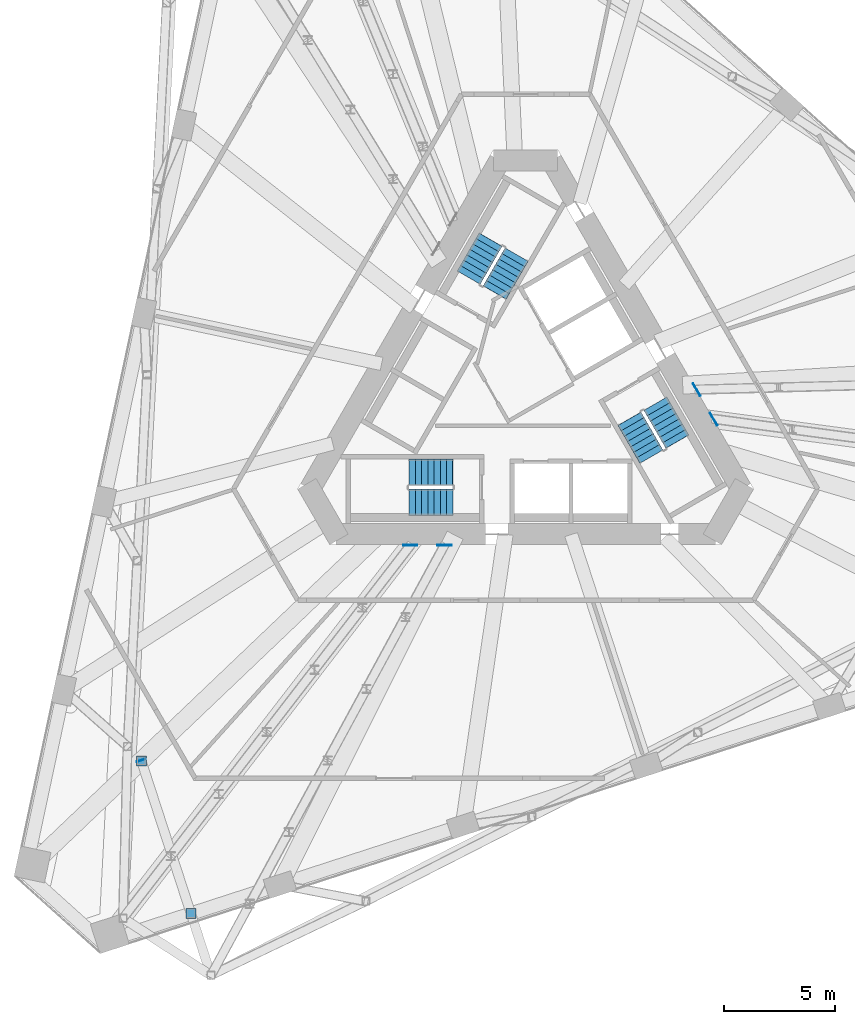
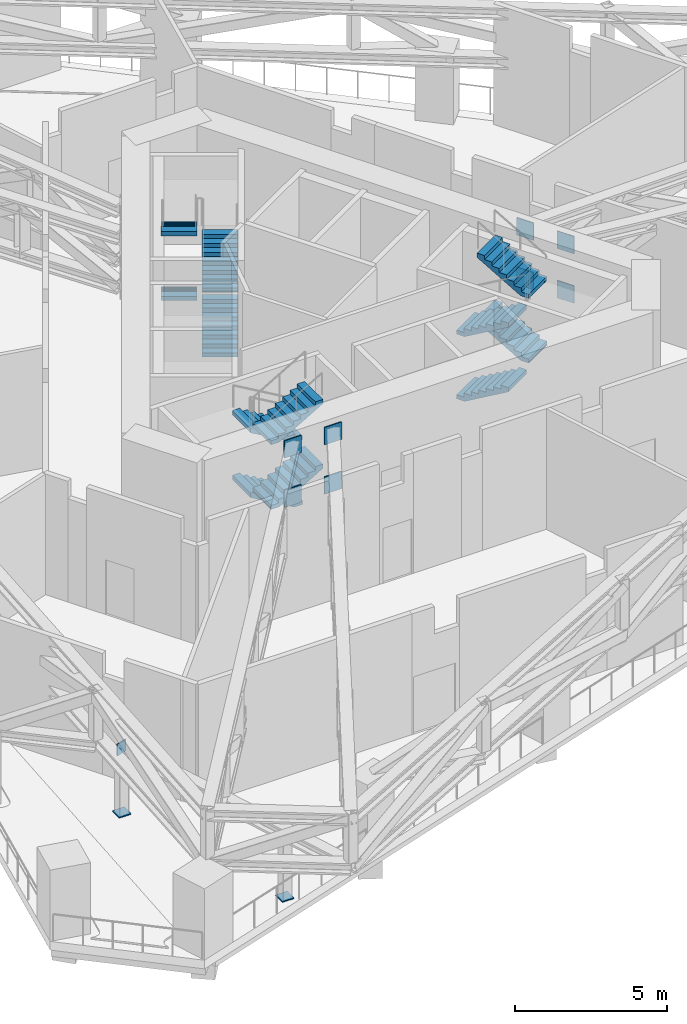
# One storey, part 17 of 24: 12 stair flights, 11 discrete accessories, 3 elements without a shape of their own.
"""IFC4 building model written with IfcOpenShell, lengths in metres."""

from ifc_helpers import new_model, si_unit, direction, frame, origin, origin_2d, place, context, subcontext, project, spatial, polyline, rectangle, outline, extrude, material, layer, layer_set, type_object, element, aggregate, save


model = new_model("IFC4")

# Units and contexts
model_context = context("Model", 3, precision=1e-05, world=origin(), true_north=direction((0.0, 1.0)))
body_context = subcontext(model_context, "Body", "Model", "MODEL_VIEW")
ifc_project = project(units=[si_unit("LENGTHUNIT", "METRE"), si_unit("AREAUNIT", "SQUARE_METRE"), si_unit("VOLUMEUNIT", "CUBIC_METRE"), si_unit("PLANEANGLEUNIT", "RADIAN"), si_unit("MASSUNIT", "GRAM", prefix="KILO")], contexts=[model_context])

# Site, building, storey
site_placement = place(None, origin())
site = spatial("IfcSite", under=ifc_project, at=site_placement, CompositionType="ELEMENT")
building_placement = place(site_placement, origin())
building = spatial("IfcBuilding", under=site, at=building_placement, Name="Tramontana Tower", CompositionType="ELEMENT")
storey_placement = place(building_placement, frame((0.0, 0.0, 120.39990234375)))
storey = spatial("IfcBuildingStorey", under=building, at=storey_placement, Name="L27", CompositionType="ELEMENT", Elevation=120.39990234375)

# Stair, stair flights
ifc_material_1 = material(Name="Concrete 40 MPa", Category="concrete")
stair_type = type_object("IfcStairType", Name="EXIT STAIR 32 RISERS", PredefinedType="HALF_TURN_STAIR", material=ifc_material_1)
stair_1_placement = place(storey_placement, origin())
stair_1 = element("IfcStair", 1, at=stair_1_placement, inside=storey, type_object=stair_type, Name="L27 Exit stair ST1", PredefinedType="HALF_TURN_STAIR")
ifc_material_2 = material(Name="Concrete 40 MPa", Category="concrete")
ifc_layer_1 = layer(ifc_material_2, 0.14990234375)
ifc_layer_set_1 = layer_set([ifc_layer_1], Name="EXIT STAIR FLIGHT")
stair_flight_type = type_object("IfcStairFlightType", Name="EXIT STAIR FLIGHT", PredefinedType="STRAIGHT", material=ifc_layer_set_1)
stair_flight_1_placement = place(storey_placement, frame((-1.39111328125, 4.590576171875, 0.0), z_axis=(0.0, 0.0, 1.0), x_axis=(0.5, 0.866025403784, 0.0)))
stair_flight_1 = element("IfcStairFlight", 2, at=stair_flight_1_placement, type_object=stair_flight_type, Name="ST1 flight 1", NumberOfRisers=8, NumberOfTreads=7, PredefinedType="STRAIGHT", RiserHeight=0.1625, TreadLength=0.28, context=body_context, shape_type="SweptSolid", body=[
    extrude(outline(polyline([(-0.006103515625, 0.0), (-0.006103515625, 0.0400390625), (0.0, 0.0400390625), (0.0, 0.16259765625), (0.280029296875, 0.16259765625), (0.280029296875, 0.324951171875), (0.56005859375, 0.324951171875), (0.56005859375, 0.487548828125), (0.840087890625, 0.487548828125), (0.840087890625, 0.64990234375), (1.1201171875, 0.64990234375), (1.1201171875, 0.8125), (1.39990234375, 0.8125), (1.39990234375, 0.97509765625), (1.679931640625, 0.97509765625), (1.679931640625, 1.137451171875), (1.9599609375, 1.137451171875), (1.966064453125, 1.137451171875), (1.966064453125, 0.964111328125), (0.3046875, 0.0), (-0.006103515625, 0.0)])), frame((0.0, 0.60009765625, 0.0), z_axis=(0.0, -1.0, 0.0), x_axis=(1.0, 0.0, 0.0)), (0.0, 0.0, 1.0), 1.199951171875),
])
stair_flight_2_placement = place(storey_placement, frame((-1.580322265625, 6.962890625, 1.300048828125), z_axis=(0.0, 0.0, 1.0), x_axis=(-0.5, -0.866025403784, 0.0)))
stair_flight_2 = element("IfcStairFlight", 3, at=stair_flight_2_placement, type_object=stair_flight_type, Name="ST1 flight 2", NumberOfRisers=8, NumberOfTreads=7, PredefinedType="STRAIGHT", RiserHeight=0.1625, TreadLength=0.28, context=body_context, shape_type="SweptSolid", body=[
    extrude(outline(polyline([(-0.006103515625, 0.0), (-0.006103515625, 0.0400390625), (0.0, 0.0400390625), (0.0, 0.16259765625), (0.280029296875, 0.16259765625), (0.280029296875, 0.324951171875), (0.56005859375, 0.324951171875), (0.56005859375, 0.487548828125), (0.840087890625, 0.487548828125), (0.840087890625, 0.64990234375), (1.1201171875, 0.64990234375), (1.1201171875, 0.8125), (1.39990234375, 0.8125), (1.39990234375, 0.97509765625), (1.679931640625, 0.97509765625), (1.679931640625, 1.137451171875), (1.9599609375, 1.137451171875), (1.966064453125, 1.137451171875), (1.966064453125, 0.964111328125), (0.3046875, 0.0), (-0.006103515625, 0.0)])), frame((0.0, 0.60009765625, 0.0), z_axis=(0.0, -1.0, 0.0), x_axis=(1.0, 0.0, 0.0)), (0.0, 0.0, 1.0), 1.199951171875),
])
stair_flight_3_placement = place(storey_placement, frame((-1.39111328125, 4.590576171875, 2.60009765625), z_axis=(0.0, 0.0, 1.0), x_axis=(0.5, 0.866025403784, 0.0)))
stair_flight_3 = element("IfcStairFlight", 4, at=stair_flight_3_placement, type_object=stair_flight_type, Name="ST1 flight 3", NumberOfRisers=8, NumberOfTreads=7, PredefinedType="STRAIGHT", RiserHeight=0.1625, TreadLength=0.28, context=body_context, shape_type="SweptSolid", body=[
    extrude(outline(polyline([(-0.006103515625, 0.0), (-0.006103515625, 0.0400390625), (0.0, 0.0400390625), (0.0, 0.16259765625), (0.280029296875, 0.16259765625), (0.280029296875, 0.324951171875), (0.56005859375, 0.324951171875), (0.56005859375, 0.487548828125), (0.840087890625, 0.487548828125), (0.840087890625, 0.64990234375), (1.1201171875, 0.64990234375), (1.1201171875, 0.8125), (1.39990234375, 0.8125), (1.39990234375, 0.97509765625), (1.679931640625, 0.97509765625), (1.679931640625, 1.137451171875), (1.9599609375, 1.137451171875), (1.966064453125, 1.137451171875), (1.966064453125, 0.964111328125), (0.3046875, 0.0), (-0.006103515625, 0.0)])), frame((0.0, 0.60009765625, 0.0), z_axis=(0.0, -1.0, 0.0), x_axis=(1.0, 0.0, 0.0)), (0.0, 0.0, 1.0), 1.199951171875),
])
stair_flight_4_placement = place(storey_placement, frame((-1.580322265625, 6.962890625, 3.900146484375), z_axis=(0.0, 0.0, 1.0), x_axis=(-0.5, -0.866025403784, 0.0)))
stair_flight_4 = element("IfcStairFlight", 5, at=stair_flight_4_placement, type_object=stair_flight_type, Name="ST1 flight 4", NumberOfRisers=8, NumberOfTreads=7, PredefinedType="STRAIGHT", RiserHeight=0.1625, TreadLength=0.28, context=body_context, shape_type="SweptSolid", body=[
    extrude(outline(polyline([(-0.006103515625, 0.0), (-0.006103515625, 0.0400390625), (0.0, 0.0400390625), (0.0, 0.16259765625), (0.280029296875, 0.16259765625), (0.280029296875, 0.324951171875), (0.56005859375, 0.324951171875), (0.56005859375, 0.487548828125), (0.840087890625, 0.487548828125), (0.840087890625, 0.64990234375), (1.1201171875, 0.64990234375), (1.1201171875, 0.8125), (1.39990234375, 0.8125), (1.39990234375, 0.97509765625), (1.679931640625, 0.97509765625), (1.679931640625, 1.137451171875), (1.9599609375, 1.137451171875), (1.966064453125, 1.137451171875), (1.966064453125, 0.964111328125), (0.3046875, 0.0), (-0.006103515625, 0.0)])), frame((0.0, 0.60009765625, 0.0), z_axis=(0.0, -1.0, 0.0), x_axis=(1.0, 0.0, 0.0)), (0.0, 0.0, 1.0), 1.199951171875),
])
aggregate(stair_1, [stair_flight_1, stair_flight_2, stair_flight_3, stair_flight_4])

stair_2_placement = place(storey_placement, origin())
stair_2 = element("IfcStair", 6, at=stair_2_placement, inside=storey, type_object=stair_type, Name="L27 Exit stair ST2", PredefinedType="HALF_TURN_STAIR")
stair_flight_5_placement = place(storey_placement, frame((-3.280029296875, -3.5, 0.0), z_axis=(0.0, 0.0, 1.0), x_axis=(-1.0, 0.0, 0.0)))
stair_flight_5 = element("IfcStairFlight", 7, at=stair_flight_5_placement, type_object=stair_flight_type, Name="ST2 flight 1", NumberOfRisers=8, NumberOfTreads=7, PredefinedType="STRAIGHT", RiserHeight=0.1625, TreadLength=0.28, context=body_context, shape_type="SweptSolid", body=[
    extrude(outline(polyline([(-0.006103515625, 0.0), (-0.006103515625, 0.0400390625), (0.0, 0.0400390625), (0.0, 0.16259765625), (0.280029296875, 0.16259765625), (0.280029296875, 0.324951171875), (0.56005859375, 0.324951171875), (0.56005859375, 0.487548828125), (0.840087890625, 0.487548828125), (0.840087890625, 0.64990234375), (1.1201171875, 0.64990234375), (1.1201171875, 0.8125), (1.39990234375, 0.8125), (1.39990234375, 0.97509765625), (1.679931640625, 0.97509765625), (1.679931640625, 1.137451171875), (1.9599609375, 1.137451171875), (1.966064453125, 1.137451171875), (1.966064453125, 0.964111328125), (0.3046875, 0.0), (-0.006103515625, 0.0)])), frame((0.0, 0.60009765625, 0.0), z_axis=(0.0, -1.0, 0.0), x_axis=(1.0, 0.0, 0.0)), (0.0, 0.0, 1.0), 1.199951171875),
])
stair_flight_6_placement = place(storey_placement, frame((-5.239990234375, -4.85009765625, 1.300048828125), z_axis=(0.0, 0.0, 1.0), x_axis=(1.0, 0.0, 0.0)))
stair_flight_6 = element("IfcStairFlight", 8, at=stair_flight_6_placement, type_object=stair_flight_type, Name="ST2 flight 2", NumberOfRisers=8, NumberOfTreads=7, PredefinedType="STRAIGHT", RiserHeight=0.1625, TreadLength=0.28, context=body_context, shape_type="SweptSolid", body=[
    extrude(outline(polyline([(-0.006103515625, 0.0), (-0.006103515625, 0.0400390625), (0.0, 0.0400390625), (0.0, 0.16259765625), (0.280029296875, 0.16259765625), (0.280029296875, 0.324951171875), (0.56005859375, 0.324951171875), (0.56005859375, 0.487548828125), (0.840087890625, 0.487548828125), (0.840087890625, 0.64990234375), (1.1201171875, 0.64990234375), (1.1201171875, 0.8125), (1.39990234375, 0.8125), (1.39990234375, 0.97509765625), (1.679931640625, 0.97509765625), (1.679931640625, 1.137451171875), (1.9599609375, 1.137451171875), (1.966064453125, 1.137451171875), (1.966064453125, 0.964111328125), (0.3046875, 0.0), (-0.006103515625, 0.0)])), frame((0.0, 0.60009765625, 0.0), z_axis=(0.0, -1.0, 0.0), x_axis=(1.0, 0.0, 0.0)), (0.0, 0.0, 1.0), 1.199951171875),
])
stair_flight_7_placement = place(storey_placement, frame((-3.280029296875, -3.5, 2.60009765625), z_axis=(0.0, 0.0, 1.0), x_axis=(-1.0, 0.0, 0.0)))
stair_flight_7 = element("IfcStairFlight", 9, at=stair_flight_7_placement, type_object=stair_flight_type, Name="ST2 flight 3", NumberOfRisers=8, NumberOfTreads=7, PredefinedType="STRAIGHT", RiserHeight=0.1625, TreadLength=0.28, context=body_context, shape_type="SweptSolid", body=[
    extrude(outline(polyline([(-0.006103515625, 0.0), (-0.006103515625, 0.0400390625), (0.0, 0.0400390625), (0.0, 0.16259765625), (0.280029296875, 0.16259765625), (0.280029296875, 0.324951171875), (0.56005859375, 0.324951171875), (0.56005859375, 0.487548828125), (0.840087890625, 0.487548828125), (0.840087890625, 0.64990234375), (1.1201171875, 0.64990234375), (1.1201171875, 0.8125), (1.39990234375, 0.8125), (1.39990234375, 0.97509765625), (1.679931640625, 0.97509765625), (1.679931640625, 1.137451171875), (1.9599609375, 1.137451171875), (1.966064453125, 1.137451171875), (1.966064453125, 0.964111328125), (0.3046875, 0.0), (-0.006103515625, 0.0)])), frame((0.0, 0.60009765625, 0.0), z_axis=(0.0, -1.0, 0.0), x_axis=(1.0, 0.0, 0.0)), (0.0, 0.0, 1.0), 1.199951171875),
])
stair_flight_8_placement = place(storey_placement, frame((-5.239990234375, -4.85009765625, 3.900146484375), z_axis=(0.0, 0.0, 1.0), x_axis=(1.0, 0.0, 0.0)))
stair_flight_8 = element("IfcStairFlight", 10, at=stair_flight_8_placement, type_object=stair_flight_type, Name="ST2 flight 4", NumberOfRisers=8, NumberOfTreads=7, PredefinedType="STRAIGHT", RiserHeight=0.1625, TreadLength=0.28, context=body_context, shape_type="SweptSolid", body=[
    extrude(outline(polyline([(-0.006103515625, 0.0), (-0.006103515625, 0.0400390625), (0.0, 0.0400390625), (0.0, 0.16259765625), (0.280029296875, 0.16259765625), (0.280029296875, 0.324951171875), (0.56005859375, 0.324951171875), (0.56005859375, 0.487548828125), (0.840087890625, 0.487548828125), (0.840087890625, 0.64990234375), (1.1201171875, 0.64990234375), (1.1201171875, 0.8125), (1.39990234375, 0.8125), (1.39990234375, 0.97509765625), (1.679931640625, 0.97509765625), (1.679931640625, 1.137451171875), (1.9599609375, 1.137451171875), (1.966064453125, 1.137451171875), (1.966064453125, 0.964111328125), (0.3046875, 0.0), (-0.006103515625, 0.0)])), frame((0.0, 0.60009765625, 0.0), z_axis=(0.0, -1.0, 0.0), x_axis=(1.0, 0.0, 0.0)), (0.0, 0.0, 1.0), 1.199951171875),
])
aggregate(stair_2, [stair_flight_5, stair_flight_6, stair_flight_7, stair_flight_8])

stair_3_placement = place(storey_placement, origin())
stair_3 = element("IfcStair", 11, at=stair_3_placement, inside=storey, type_object=stair_type, Name="L27 Exit stair ST3", PredefinedType="HALF_TURN_STAIR")
stair_flight_9_placement = place(storey_placement, frame((4.671142578125, -1.090576171875, 0.0), z_axis=(0.0, 0.0, 1.0), x_axis=(0.5, -0.866025403784, 0.0)))
stair_flight_9 = element("IfcStairFlight", 12, at=stair_flight_9_placement, type_object=stair_flight_type, Name="ST3 flight 1", NumberOfRisers=8, NumberOfTreads=7, PredefinedType="STRAIGHT", RiserHeight=0.1625, TreadLength=0.28, context=body_context, shape_type="SweptSolid", body=[
    extrude(outline(polyline([(-0.006103515625, 0.0), (-0.006103515625, 0.0400390625), (0.0, 0.0400390625), (0.0, 0.16259765625), (0.280029296875, 0.16259765625), (0.280029296875, 0.324951171875), (0.56005859375, 0.324951171875), (0.56005859375, 0.487548828125), (0.840087890625, 0.487548828125), (0.840087890625, 0.64990234375), (1.1201171875, 0.64990234375), (1.1201171875, 0.8125), (1.39990234375, 0.8125), (1.39990234375, 0.97509765625), (1.679931640625, 0.97509765625), (1.679931640625, 1.137451171875), (1.9599609375, 1.137451171875), (1.966064453125, 1.137451171875), (1.966064453125, 0.964111328125), (0.3046875, 0.0), (-0.006103515625, 0.0)])), frame((0.0, 0.60009765625, 0.0), z_axis=(0.0, -1.0, 0.0), x_axis=(1.0, 0.0, 0.0)), (0.0, 0.0, 1.0), 1.199951171875),
])
stair_flight_10_placement = place(storey_placement, frame((6.8203125, -2.113037109375, 1.300048828125), z_axis=(0.0, 0.0, 1.0), x_axis=(-0.5, 0.866025403784, 0.0)))
stair_flight_10 = element("IfcStairFlight", 13, at=stair_flight_10_placement, type_object=stair_flight_type, Name="ST3 flight 2", NumberOfRisers=8, NumberOfTreads=7, PredefinedType="STRAIGHT", RiserHeight=0.1625, TreadLength=0.28, context=body_context, shape_type="SweptSolid", body=[
    extrude(outline(polyline([(-0.006103515625, 0.0), (-0.006103515625, 0.0400390625), (0.0, 0.0400390625), (0.0, 0.16259765625), (0.280029296875, 0.16259765625), (0.280029296875, 0.324951171875), (0.56005859375, 0.324951171875), (0.56005859375, 0.487548828125), (0.840087890625, 0.487548828125), (0.840087890625, 0.64990234375), (1.1201171875, 0.64990234375), (1.1201171875, 0.8125), (1.39990234375, 0.8125), (1.39990234375, 0.97509765625), (1.679931640625, 0.97509765625), (1.679931640625, 1.137451171875), (1.9599609375, 1.137451171875), (1.966064453125, 1.137451171875), (1.966064453125, 0.964111328125), (0.3046875, 0.0), (-0.006103515625, 0.0)])), frame((0.0, 0.60009765625, 0.0), z_axis=(0.0, -1.0, 0.0), x_axis=(1.0, 0.0, 0.0)), (0.0, 0.0, 1.0), 1.199951171875),
])
stair_flight_11_placement = place(storey_placement, frame((4.671142578125, -1.090576171875, 2.60009765625), z_axis=(0.0, 0.0, 1.0), x_axis=(0.5, -0.866025403784, 0.0)))
stair_flight_11 = element("IfcStairFlight", 14, at=stair_flight_11_placement, type_object=stair_flight_type, Name="ST3 flight 3", NumberOfRisers=8, NumberOfTreads=7, PredefinedType="STRAIGHT", RiserHeight=0.1625, TreadLength=0.28, context=body_context, shape_type="SweptSolid", body=[
    extrude(outline(polyline([(-0.006103515625, 0.0), (-0.006103515625, 0.0400390625), (0.0, 0.0400390625), (0.0, 0.16259765625), (0.280029296875, 0.16259765625), (0.280029296875, 0.324951171875), (0.56005859375, 0.324951171875), (0.56005859375, 0.487548828125), (0.840087890625, 0.487548828125), (0.840087890625, 0.64990234375), (1.1201171875, 0.64990234375), (1.1201171875, 0.8125), (1.39990234375, 0.8125), (1.39990234375, 0.97509765625), (1.679931640625, 0.97509765625), (1.679931640625, 1.137451171875), (1.9599609375, 1.137451171875), (1.966064453125, 1.137451171875), (1.966064453125, 0.964111328125), (0.3046875, 0.0), (-0.006103515625, 0.0)])), frame((0.0, 0.60009765625, 0.0), z_axis=(0.0, -1.0, 0.0), x_axis=(1.0, 0.0, 0.0)), (0.0, 0.0, 1.0), 1.199951171875),
])
stair_flight_12_placement = place(storey_placement, frame((6.8203125, -2.113037109375, 3.900146484375), z_axis=(0.0, 0.0, 1.0), x_axis=(-0.5, 0.866025403784, 0.0)))
stair_flight_12 = element("IfcStairFlight", 15, at=stair_flight_12_placement, type_object=stair_flight_type, Name="ST3 flight 4", NumberOfRisers=8, NumberOfTreads=7, PredefinedType="STRAIGHT", RiserHeight=0.1625, TreadLength=0.28, context=body_context, shape_type="SweptSolid", body=[
    extrude(outline(polyline([(-0.006103515625, 0.0), (-0.006103515625, 0.0400390625), (0.0, 0.0400390625), (0.0, 0.16259765625), (0.280029296875, 0.16259765625), (0.280029296875, 0.324951171875), (0.56005859375, 0.324951171875), (0.56005859375, 0.487548828125), (0.840087890625, 0.487548828125), (0.840087890625, 0.64990234375), (1.1201171875, 0.64990234375), (1.1201171875, 0.8125), (1.39990234375, 0.8125), (1.39990234375, 0.97509765625), (1.679931640625, 0.97509765625), (1.679931640625, 1.137451171875), (1.9599609375, 1.137451171875), (1.966064453125, 1.137451171875), (1.966064453125, 0.964111328125), (0.3046875, 0.0), (-0.006103515625, 0.0)])), frame((0.0, 0.60009765625, 0.0), z_axis=(0.0, -1.0, 0.0), x_axis=(1.0, 0.0, 0.0)), (0.0, 0.0, 1.0), 1.199951171875),
])
aggregate(stair_3, [stair_flight_9, stair_flight_10, stair_flight_11, stair_flight_12])

# Discrete accessories
ifc_material_3 = material(Name="Steel ASTM A572 Grade 50", Category="steel")
ifc_layer_2 = layer(ifc_material_3, 0.0400390625)
ifc_layer_set_2 = layer_set([ifc_layer_2], Name="Base plate 450X450X40")
discrete_accessory_type_1 = type_object("IfcDiscreteAccessoryType", Name="Base plate 450X450X40", PredefinedType="ANCHORPLATE", material=ifc_layer_set_2)
for number, where, z_axis, x_axis, name in (
    (16, (-15.05078125, -23.343505859375, 0.0), (0.0, 0.0, 1.0), (1.0, 0.0, 0.0), "Transfer truss post base plate C3K3.1"),
    (17, (-17.284423828125, -16.46875, 0.0), (0.0, 0.0, 1.0), (1.0, 0.0, 0.0), "Transfer truss post base plate C3K3.2"),
):
    element("IfcDiscreteAccessory", number, at=place(storey_placement, frame(where, z_axis=z_axis, x_axis=x_axis)), inside=storey, type_object=discrete_accessory_type_1, Name=name, PredefinedType="ANCHORPLATE", context=body_context, shape_type="SweptSolid", body=[
        extrude(rectangle(XDim=0.449951171875, YDim=0.449951171875, at=origin_2d()), origin(), (0.0, 0.0, 1.0), 0.0400390625),
    ])
ifc_material_4 = material(Name="Steel ASTM A572 Grade 50", Category="steel")
ifc_layer_3 = layer(ifc_material_4, 0.0400390625)
ifc_layer_set_3 = layer_set([ifc_layer_3], Name="Cast-in plate 650X700X40")
discrete_accessory_type_2 = type_object("IfcDiscreteAccessoryType", Name="Cast-in plate 650X700X40", PredefinedType="ANCHORPLATE", material=ifc_layer_set_3)
for number, where, z_axis, x_axis, name in (
    (18, (-5.190185546875, -6.77001953125, 2.28173828125), (0.0, 0.0, 1.0), (1.0, 0.0, 0.0), "Cast-in plate Outrigger truss 1 bottom chord"),
    (19, (-5.190185546875, -6.77001953125, 4.2685546875), (0.0, 0.0, 1.0), (1.0, 0.0, 0.0), "Cast-in plate Outrigger truss 1 top chord"),
    (20, (-3.65625, -6.77001953125, 2.28173828125), (0.0, 0.0, 1.0), (1.0, 0.0, 0.0), "Cast-in plate Outrigger truss 2 bottom chord"),
    (21, (-3.65625, -6.77001953125, 4.2685546875), (0.0, 0.0, 1.0), (1.0, 0.0, 0.0), "Cast-in plate Outrigger truss 2 top chord"),
    (22, (8.4580078125, -1.10986328125, 2.28173828125), (0.0, 0.0, 1.0), (-0.5, 0.866025403784, 0.0), "Cast-in plate Outrigger truss 3 bottom chord"),
    (23, (8.4580078125, -1.10986328125, 4.2685546875), (0.0, 0.0, 1.0), (-0.5, 0.866025403784, 0.0), "Cast-in plate Outrigger truss 3 top chord"),
    (24, (7.691162109375, 0.218505859375, 2.28173828125), (0.0, 0.0, 1.0), (-0.5, 0.866025403784, 0.0), "Cast-in plate Outrigger truss 4 bottom chord"),
    (25, (7.691162109375, 0.218505859375, 4.2685546875), (0.0, 0.0, 1.0), (-0.5, 0.866025403784, 0.0), "Cast-in plate Outrigger truss 4 top chord"),
):
    element("IfcDiscreteAccessory", number, at=place(storey_placement, frame(where, z_axis=z_axis, x_axis=x_axis)), inside=storey, type_object=discrete_accessory_type_2, Name=name, PredefinedType="ANCHORPLATE", context=body_context, shape_type="SweptSolid", body=[
        extrude(rectangle(XDim=0.64990234375, YDim=0.0400390625, at=origin_2d()), origin(), (0.0, 0.0, 1.0), 0.699951171875),
    ])
ifc_material_5 = material(Name="Steel ASTM A572 Grade 50", Category="steel")
ifc_layer_4 = layer(ifc_material_5, 0.0400390625)
ifc_layer_set_4 = layer_set([ifc_layer_4], Name="End plate 422X464X40")
discrete_accessory_type_3 = type_object("IfcDiscreteAccessoryType", Name="End plate 422X464X40", PredefinedType="ANCHORPLATE", material=ifc_layer_set_4)
discrete_accessory_placement = place(storey_placement, frame((-17.29052734375, -16.44970703125, 2.39990234375), z_axis=(0.0, 0.0, 1.0), x_axis=(0.951056516295, 0.309016994375, 0.0)))
element("IfcDiscreteAccessory", 26, at=discrete_accessory_placement, inside=storey, type_object=discrete_accessory_type_3, Name="Transfer truss girder end plate C3K3.2", PredefinedType="ANCHORPLATE", context=body_context, shape_type="SweptSolid", body=[
    extrude(rectangle(XDim=0.42236328125, YDim=0.0400390625, at=origin_2d()), origin(), (0.0, 0.0, 1.0), 0.463623046875),
])

save(model, "model.ifc")
